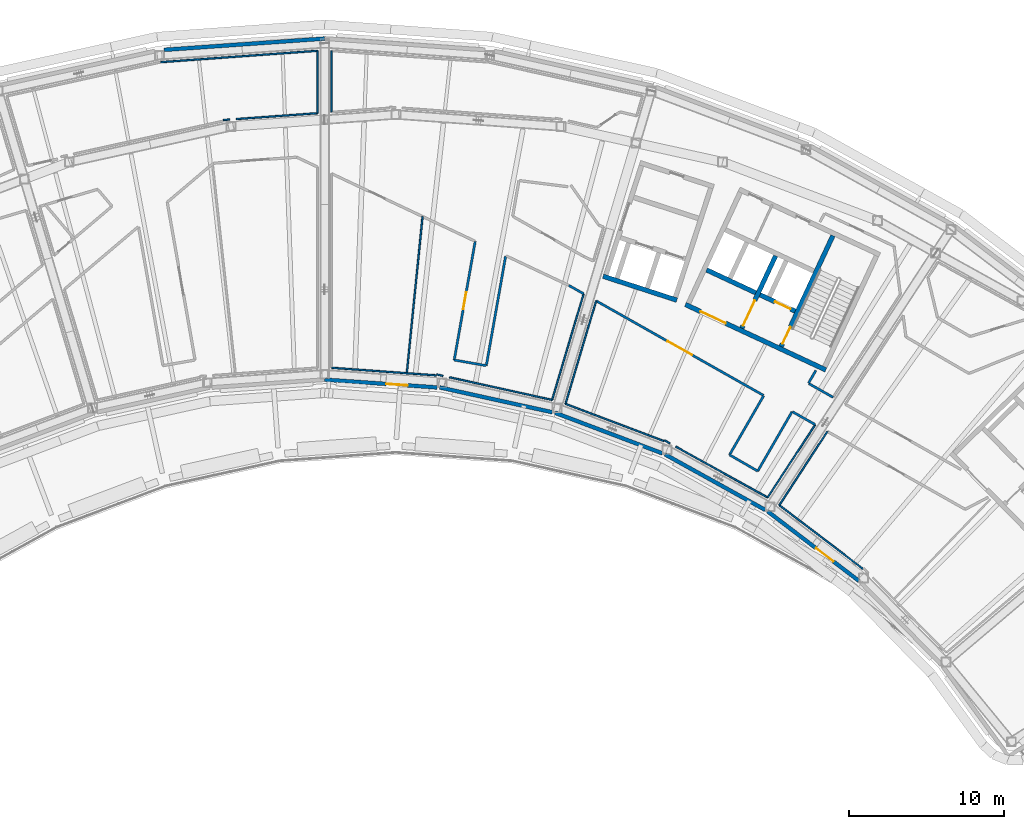
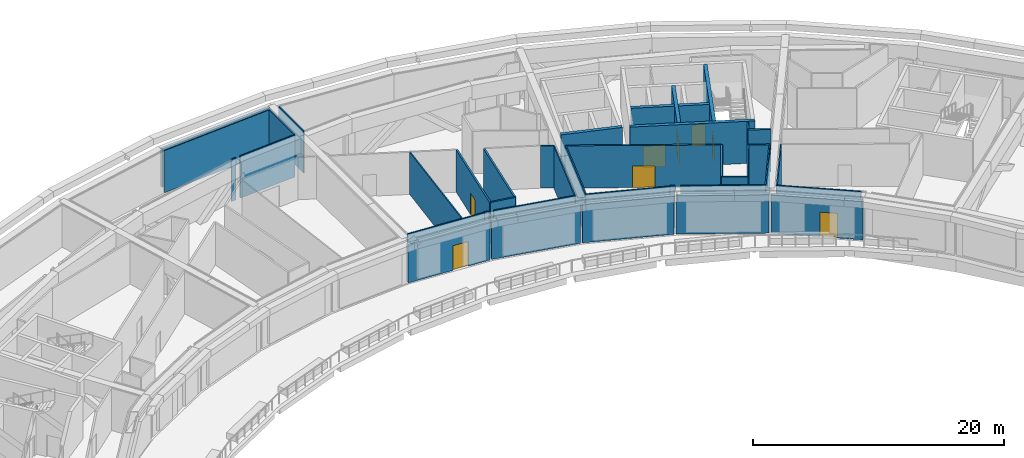
# One storey, part 9 of 24: 40 walls, 8 doors, 8 openings.
"""IFC4 building model written with IfcOpenShell, lengths in metres."""

from ifc_helpers import new_model, si_unit, direction, frame, frame_2d, origin, place, context, subcontext, project, spatial, rectangle, extrude, material, layer, layer_set, type_object, element, fill, save


model = new_model("IFC4")

# Units and contexts
model_context = context("Model", 3, precision=1e-05, world=origin(), true_north=direction((0.0, 1.0)))
body_context = subcontext(model_context, "Body", "Model", "MODEL_VIEW")
ifc_project = project(units=[si_unit("LENGTHUNIT", "METRE"), si_unit("AREAUNIT", "SQUARE_METRE"), si_unit("VOLUMEUNIT", "CUBIC_METRE"), si_unit("PLANEANGLEUNIT", "RADIAN"), si_unit("MASSUNIT", "GRAM", prefix="KILO")], contexts=[model_context])

# Site, building, storey
site_placement = place(None, origin())
site = spatial("IfcSite", under=ifc_project, at=site_placement, CompositionType="ELEMENT")
building_placement = place(site_placement, origin())
building = spatial("IfcBuilding", under=site, at=building_placement, Name="Tuul Gate Civic Tower", CompositionType="ELEMENT")
storey_placement = place(building_placement, frame((0.0, 0.0, 315.199951171875)))
storey = spatial("IfcBuildingStorey", under=building, at=storey_placement, Name="Plant and refuge floor 7", CompositionType="ELEMENT", Elevation=315.199951171875)

# Wall, opening, door
ifc_material_1 = material(Name="Concrete C50/60", Category="concrete")
ifc_layer_1 = layer(ifc_material_1, 0.300048828125)
ifc_layer_set_1 = layer_set([ifc_layer_1], Name="Concrete C50/60")
wall_type_1 = type_object("IfcWallType", Name="Core wall C50/60", PredefinedType="SHEAR", material=ifc_layer_set_1)
wall_1_placement = place(storey_placement, frame((34.5283203125, -7.25, 0.0), z_axis=(0.0, 0.0, 1.0), x_axis=(-0.906310338845, 0.422612789327, 0.0)))
wall_1 = element("IfcWall", 1, at=wall_1_placement, inside=storey, type_object=wall_type_1, Name="Core wall", PredefinedType="SHEAR", context=body_context, shape_type="SweptSolid", body=[
    extrude(rectangle(XDim=9.999755859375, YDim=0.300048828125, at=frame_2d((5.0, 0.0))), origin(), (0.0, 0.0, 1.0), 4.10009765625),
])
opening_1_placement = place(wall_1_placement, frame((7.125, 0.0, 0.0)))
opening_1 = element("IfcOpeningElement", 2, at=opening_1_placement, cuts=wall_1, Name="Opening LB-E3-LOBBY-1", PredefinedType="OPENING", context=body_context, shape_type="SweptSolid", body=[
    extrude(rectangle(XDim=1.800048828125, YDim=2.10009765625, at=frame_2d((0.89990234375, 1.050048828125))), frame((0.0, 0.16015625, 0.0), z_axis=(0.0, -1.0, 0.0), x_axis=(1.0, 0.0, 0.0)), (0.0, 0.0, 1.0), 0.320068359375),
])
ifc_material_2 = material(Name="Steel", Category="steel")
door_type_1 = type_object("IfcDoorType", Name="Lobby door", OperationType="DOUBLE_DOOR_SINGLE_SWING", PredefinedType="DOOR", material=ifc_material_2)
door_1_placement = place(opening_1_placement, frame((1.800048828125, 0.0, 0.0), z_axis=(0.0, 0.0, 1.0), x_axis=(-1.0, 0.0, 0.0)))
door_1 = element("IfcDoor", 3, at=door_1_placement, inside=storey, type_object=door_type_1, Name="Lobby door E3-LOBBY", OperationType="DOUBLE_DOOR_SINGLE_SWING", OverallHeight=2.10009765625, OverallWidth=1.800048828125, PredefinedType="DOOR", context=body_context, shape_type="SweptSolid", body=[
    extrude(rectangle(XDim=1.800048828125, YDim=2.10009765625, at=frame_2d((0.900146484375, 1.050048828125))), frame((0.0, 0.02490234375, 0.0), z_axis=(0.0, -1.0, 0.0), x_axis=(1.0, 0.0, 0.0)), (0.0, 0.0, 1.0), 0.050048828125),
])
fill(opening_1, door_1)

wall_2_placement = place(storey_placement, frame((32.545654296875, -3.456787109375, 0.0), z_axis=(0.0, 0.0, 1.0), x_axis=(-0.906300357825, 0.42263419337, 0.0)))
wall_2 = element("IfcWall", 4, at=wall_2_placement, inside=storey, type_object=wall_type_1, Name="Core wall", PredefinedType="SHEAR", context=body_context, shape_type="SweptSolid", body=[
    extrude(rectangle(XDim=2.500244140625, YDim=0.300048828125, at=frame_2d((1.25, 0.0))), origin(), (0.0, 0.0, 1.0), 4.10009765625),
])
opening_2_placement = place(wall_2_placement, frame((0.324951171875, 0.0, 0.0)))
opening_2 = element("IfcOpeningElement", 5, at=opening_2_placement, cuts=wall_2, Name="Opening LD-FF-2", PredefinedType="OPENING", context=body_context, shape_type="SweptSolid", body=[
    extrude(rectangle(XDim=1.10009765625, YDim=2.10009765625, at=frame_2d((0.550048828125, 1.050048828125))), frame((0.0, 0.16015625, 0.0), z_axis=(0.0, -1.0, 0.0), x_axis=(1.0, 0.0, 0.0)), (0.0, 0.0, 1.0), 0.320068359375),
])
ifc_material_3 = material(Name="Stainless steel", Category="steel")
door_type_2 = type_object("IfcDoorType", Name="Landing door", OperationType="DOUBLE_DOOR_SLIDING", PredefinedType="DOOR", material=ifc_material_3)
door_2_placement = place(opening_2_placement, origin())
door_2 = element("IfcDoor", 6, at=door_2_placement, inside=storey, type_object=door_type_2, Name="Fire-fighting lift FF-2 landing door", OperationType="DOUBLE_DOOR_SLIDING", OverallHeight=2.10009765625, OverallWidth=1.10009765625, PredefinedType="DOOR", context=body_context, shape_type="SweptSolid", body=[
    extrude(rectangle(XDim=1.10009765625, YDim=2.10009765625, at=frame_2d((0.550048828125, 1.050048828125))), frame((0.0, 0.02490234375, 0.0), z_axis=(0.0, -1.0, 0.0), x_axis=(1.0, 0.0, 0.0)), (0.0, 0.0, 1.0), 0.050048828125),
])
fill(opening_2, door_2)

# Wall
wall_3_placement = place(storey_placement, frame((30.0078125, -2.2734375, 0.0), z_axis=(0.0, 0.0, 1.0), x_axis=(-0.90630071767, 0.422633421716, 0.0)))
element("IfcWall", 7, at=wall_3_placement, inside=storey, type_object=wall_type_1, Name="Core wall", PredefinedType="SHEAR", context=body_context, shape_type="SweptSolid", body=[
    extrude(rectangle(XDim=3.5, YDim=0.300048828125, at=frame_2d((1.75, 0.0))), origin(), (0.0, 0.0, 1.0), 4.10009765625),
])

# Wall, opening, door
wall_4_placement = place(storey_placement, frame((31.646240234375, -5.740478515625, 0.0), z_axis=(0.0, 0.0, 1.0), x_axis=(0.422582604137, 0.906324413596, 0.0)))
wall_4 = element("IfcWall", 8, at=wall_4_placement, inside=storey, type_object=wall_type_1, Name="Core wall", PredefinedType="SHEAR", context=body_context, shape_type="SweptSolid", body=[
    extrude(rectangle(XDim=7.89990234375, YDim=0.300048828125, at=frame_2d((3.949951171875, 0.0))), origin(), (0.0, 0.0, 1.0), 4.10009765625),
])
opening_3_placement = place(wall_4_placement, frame((0.199951171875, 0.0, 0.0)))
opening_3 = element("IfcOpeningElement", 9, at=opening_3_placement, cuts=wall_4, Name="Opening SD-ST-4", PredefinedType="OPENING", context=body_context, shape_type="SweptSolid", body=[
    extrude(rectangle(XDim=1.199951171875, YDim=2.10009765625, at=frame_2d((0.60009765625, 1.050048828125))), frame((0.0, 0.16015625, 0.0), z_axis=(0.0, -1.0, 0.0), x_axis=(1.0, 0.0, 0.0)), (0.0, 0.0, 1.0), 0.320068359375),
])
ifc_material_4 = material(Name="Steel", Category="steel")
door_type_3 = type_object("IfcDoorType", Name="Stair door", OperationType="NOTDEFINED", PredefinedType="DOOR", material=ifc_material_4)
door_3_placement = place(opening_3_placement, origin())
door_3 = element("IfcDoor", 10, at=door_3_placement, inside=storey, type_object=door_type_3, Name="Stair door ST-4", OperationType="SINGLE_SWING_LEFT", OverallHeight=2.10009765625, OverallWidth=1.199951171875, PredefinedType="DOOR", context=body_context, shape_type="SweptSolid", body=[
    extrude(rectangle(XDim=1.199951171875, YDim=2.10009765625, at=frame_2d((0.60009765625, 1.050048828125))), frame((0.0, 0.02490234375, 0.0), z_axis=(0.0, -1.0, 0.0), x_axis=(1.0, 0.0, 0.0)), (0.0, 0.0, 1.0), 0.050048828125),
])
fill(opening_3, door_3)

wall_5_placement = place(storey_placement, frame((29.108642578125, -4.557373046875, 0.0), z_axis=(0.0, 0.0, 1.0), x_axis=(0.422566235356, 0.90633204552, 0.0)))
wall_5 = element("IfcWall", 11, at=wall_5_placement, inside=storey, type_object=wall_type_1, Name="Core wall", PredefinedType="SHEAR", context=body_context, shape_type="SweptSolid", body=[
    extrude(rectangle(XDim=5.150146484375, YDim=0.300048828125, at=frame_2d((2.5751953125, 0.0))), origin(), (0.0, 0.0, 1.0), 4.10009765625),
])
opening_4_placement = place(wall_5_placement, frame((0.175048828125, 0.0, 0.0)))
opening_4 = element("IfcOpeningElement", 12, at=opening_4_placement, cuts=wall_5, Name="Opening LB-E3-FLOBBY-1", PredefinedType="OPENING", context=body_context, shape_type="SweptSolid", body=[
    extrude(rectangle(XDim=1.800048828125, YDim=2.10009765625, at=frame_2d((0.89990234375, 1.050048828125))), frame((0.0, 0.16015625, 0.0), z_axis=(0.0, -1.0, 0.0), x_axis=(1.0, 0.0, 0.0)), (0.0, 0.0, 1.0), 0.320068359375),
])
door_4_placement = place(opening_4_placement, frame((1.800048828125, 0.0, 0.0), z_axis=(0.0, 0.0, 1.0), x_axis=(-1.0, 0.0, 0.0)))
door_4 = element("IfcDoor", 13, at=door_4_placement, inside=storey, type_object=door_type_1, Name="Lobby door E3-FLOBBY", OperationType="DOUBLE_DOOR_SINGLE_SWING", OverallHeight=2.10009765625, OverallWidth=1.800048828125, PredefinedType="DOOR", context=body_context, shape_type="SweptSolid", body=[
    extrude(rectangle(XDim=1.800048828125, YDim=2.10009765625, at=frame_2d((0.900146484375, 1.050048828125))), frame((0.0, 0.02490234375, 0.0), z_axis=(0.0, -1.0, 0.0), x_axis=(1.0, 0.0, 0.0)), (0.0, 0.0, 1.0), 0.050048828125),
])
fill(opening_4, door_4)

# Walls
ifc_material_5 = material(Name="Gypsum board partition")
ifc_layer_2 = layer(ifc_material_5, 0.14990234375)
ifc_layer_set_2 = layer_set([ifc_layer_2], Name="Gypsum board partition")
wall_type_2 = type_object("IfcWallType", Name="Corridor wall P150", PredefinedType="PARTITIONING", material=ifc_layer_set_2)
wall_6_placement = place(storey_placement, frame((30.13330078125, -13.77490234375, 0.0), z_axis=(0.0, 0.0, 1.0), x_axis=(0.500003149848, 0.866023585211, 0.0)))
element("IfcWall", 14, at=wall_6_placement, inside=storey, type_object=wall_type_2, Name="p004", PredefinedType="PARTITIONING", context=body_context, shape_type="SweptSolid", body=[
    extrude(rectangle(XDim=4.4169921875, YDim=0.14990234375, at=frame_2d((2.20849609375, 0.0))), origin(), (0.0, 0.0, 1.0), 4.10009765625),
])
wall_7_placement = place(storey_placement, frame((33.411865234375, -8.09619140625, 0.0), z_axis=(0.0, 0.0, 1.0), x_axis=(0.500014143148, 0.86601723808, 0.0)))
element("IfcWall", 15, at=wall_7_placement, inside=storey, type_object=wall_type_2, Name="p005", PredefinedType="PARTITIONING", context=body_context, shape_type="SweptSolid", body=[
    extrude(rectangle(XDim=0.94189453125, YDim=0.14990234375, at=frame_2d((0.470947265625, 0.0))), origin(), (0.0, 0.0, 1.0), 4.10009765625),
])
wall_8_placement = place(storey_placement, frame((33.41943359375, -8.12353515625, 0.0), z_axis=(0.0, 0.0, 1.0), x_axis=(0.870676003417, -0.491856988436, 0.0)))
element("IfcWall", 16, at=wall_8_placement, inside=storey, type_object=wall_type_2, Name="p011", PredefinedType="PARTITIONING", context=body_context, shape_type="SweptSolid", body=[
    extrude(rectangle(XDim=1.807861328125, YDim=0.14990234375, at=frame_2d((0.90380859375, 0.0))), origin(), (0.0, 0.0, 1.0), 4.10009765625),
])
wall_9_placement = place(storey_placement, frame((12.62109375, -6.970703125, 0.0), z_axis=(0.0, 0.0, 1.0), x_axis=(0.173645647652, 0.984808199119, 0.0)))
element("IfcWall", 17, at=wall_9_placement, inside=storey, type_object=wall_type_2, Name="p013", PredefinedType="PARTITIONING", context=body_context, shape_type="SweptSolid", body=[
    extrude(rectangle(XDim=7.178955078125, YDim=0.14990234375, at=frame_2d((3.58935546875, 0.0))), origin(), (0.0, 0.0, 1.0), 4.10009765625),
])
wall_10_placement = place(storey_placement, frame((17.9501953125, -1.79638671875, 0.0), z_axis=(0.0, 0.0, 1.0), x_axis=(0.870716490147, -0.491785312698, 0.0)))
element("IfcWall", 18, at=wall_10_placement, inside=storey, type_object=wall_type_2, Name="p030", PredefinedType="PARTITIONING", context=body_context, shape_type="SweptSolid", body=[
    extrude(rectangle(XDim=1.0947265625, YDim=0.14990234375, at=frame_2d((0.54736328125, 0.0))), origin(), (0.0, 0.0, 1.0), 4.10009765625),
])

# Wall, opening, door
wall_11_placement = place(storey_placement, frame((19.70703125, -2.788818359375, 0.0), z_axis=(0.0, 0.0, 1.0), x_axis=(0.870665105986, -0.491876278365, 0.0)))
wall_11 = element("IfcWall", 19, at=wall_11_placement, inside=storey, type_object=wall_type_2, Name="p031", PredefinedType="PARTITIONING", context=body_context, shape_type="SweptSolid", body=[
    extrude(rectangle(XDim=12.402587890625, YDim=0.14990234375, at=frame_2d((6.201171875, 0.0))), origin(), (0.0, 0.0, 1.0), 4.10009765625),
])
opening_5_placement = place(wall_11_placement, frame((5.301513671875, 0.0, 0.0)))
opening_5 = element("IfcOpeningElement", 20, at=opening_5_placement, cuts=wall_11, Name="Opening PC-D08", PredefinedType="OPENING", context=body_context, shape_type="SweptSolid", body=[
    extrude(rectangle(XDim=1.800048828125, YDim=2.10009765625, at=frame_2d((0.89990234375, 1.050048828125))), frame((0.0, 0.0849609375, 0.0), z_axis=(0.0, -1.0, 0.0), x_axis=(1.0, 0.0, 0.0)), (0.0, 0.0, 1.0), 0.169921875),
])
ifc_material_6 = material(Name="Timber door leaf, double", Category="wood")
door_type_4 = type_object("IfcDoorType", Name="Door D18", OperationType="DOUBLE_DOOR_SINGLE_SWING", PredefinedType="DOOR", material=ifc_material_6)
door_5_placement = place(opening_5_placement, frame((1.800048828125, 0.0, 0.0), z_axis=(0.0, 0.0, 1.0), x_axis=(-1.0, 0.0, 0.0)))
door_5 = element("IfcDoor", 21, at=door_5_placement, inside=storey, type_object=door_type_4, Name="Door PC-D08", OperationType="DOUBLE_DOOR_SINGLE_SWING", OverallHeight=2.10009765625, OverallWidth=1.800048828125, PredefinedType="DOOR", context=body_context, shape_type="SweptSolid", body=[
    extrude(rectangle(XDim=1.800048828125, YDim=2.10009765625, at=frame_2d((0.900146484375, 1.050048828125))), frame((0.0, 0.02490234375, 0.0), z_axis=(0.0, -1.0, 0.0), x_axis=(1.0, 0.0, 0.0)), (0.0, 0.0, 1.0), 0.050048828125),
])
fill(opening_5, door_5)

# Walls
wall_12_placement = place(storey_placement, frame((32.368896484375, -9.942138671875, 0.0), z_axis=(0.0, 0.0, 1.0), x_axis=(0.870672928686, -0.491862431227, 0.0)))
element("IfcWall", 22, at=wall_12_placement, inside=storey, type_object=wall_type_2, Name="p032", PredefinedType="PARTITIONING", context=body_context, shape_type="SweptSolid", body=[
    extrude(rectangle(XDim=1.693115234375, YDim=0.14990234375, at=frame_2d((0.8466796875, 0.0))), origin(), (0.0, 0.0, 1.0), 4.10009765625),
])
wall_13_placement = place(storey_placement, frame((28.314697265625, -12.724853515625, 0.0), z_axis=(0.0, 0.0, 1.0), x_axis=(0.500002825587, 0.866023772425, 0.0)))
element("IfcWall", 23, at=wall_13_placement, inside=storey, type_object=wall_type_2, Name="p036", PredefinedType="PARTITIONING", context=body_context, shape_type="SweptSolid", body=[
    extrude(rectangle(XDim=4.39697265625, YDim=0.14990234375, at=frame_2d((2.198486328125, 0.0))), origin(), (0.0, 0.0, 1.0), 4.10009765625),
])
wall_14_placement = place(storey_placement, frame((28.31494140625, -12.7255859375, 0.0), z_axis=(0.0, 0.0, 1.0), x_axis=(0.866073252199, -0.499917114955, 0.0)))
element("IfcWall", 24, at=wall_14_placement, inside=storey, type_object=wall_type_2, Name="p037", PredefinedType="PARTITIONING", context=body_context, shape_type="SweptSolid", body=[
    extrude(rectangle(XDim=2.098876953125, YDim=0.14990234375, at=frame_2d((1.04931640625, 0.0))), origin(), (0.0, 0.0, 1.0), 4.10009765625),
])

# Wall, opening, door
wall_15_placement = place(storey_placement, frame((10.552978515625, -6.60595703125, 0.0), z_axis=(0.0, 0.0, 1.0), x_axis=(0.173670485397, 0.984803819297, 0.0)))
wall_15 = element("IfcWall", 25, at=wall_15_placement, inside=storey, type_object=wall_type_2, Name="p041", PredefinedType="PARTITIONING", context=body_context, shape_type="SweptSolid", body=[
    extrude(rectangle(XDim=7.76123046875, YDim=0.14990234375, at=frame_2d((3.880615234375, 0.0))), origin(), (0.0, 0.0, 1.0), 4.10009765625),
])
opening_6_placement = place(wall_15_placement, frame((3.33056640625, 0.0, 0.0)))
opening_6 = element("IfcOpeningElement", 26, at=opening_6_placement, cuts=wall_15, Name="Opening PC-D10", PredefinedType="OPENING", context=body_context, shape_type="SweptSolid", body=[
    extrude(rectangle(XDim=1.10009765625, YDim=2.10009765625, at=frame_2d((0.550048828125, 1.050048828125))), frame((0.0, 0.0849609375, 0.0), z_axis=(0.0, -1.0, 0.0), x_axis=(1.0, 0.0, 0.0)), (0.0, 0.0, 1.0), 0.169921875),
])
ifc_material_7 = material(Name="Timber door leaf", Category="wood")
door_type_5 = type_object("IfcDoorType", Name="Door D11", OperationType="NOTDEFINED", PredefinedType="DOOR", material=ifc_material_7)
door_6_placement = place(opening_6_placement, origin())
door_6 = element("IfcDoor", 27, at=door_6_placement, inside=storey, type_object=door_type_5, Name="Door PC-D10", OperationType="SINGLE_SWING_RIGHT", OverallHeight=2.10009765625, OverallWidth=1.10009765625, PredefinedType="DOOR", context=body_context, shape_type="SweptSolid", body=[
    extrude(rectangle(XDim=1.10009765625, YDim=2.10009765625, at=frame_2d((0.550048828125, 1.050048828125))), frame((0.0, 0.02490234375, 0.0), z_axis=(0.0, -1.0, 0.0), x_axis=(1.0, 0.0, 0.0)), (0.0, 0.0, 1.0), 0.050048828125),
])
fill(opening_6, door_6)

# Walls
wall_16_placement = place(storey_placement, frame((10.553466796875, -6.6064453125, 0.0), z_axis=(0.0, 0.0, 1.0), x_axis=(0.98480696824, -0.173652628272, 0.0)))
element("IfcWall", 28, at=wall_16_placement, inside=storey, type_object=wall_type_2, Name="p042", PredefinedType="PARTITIONING", context=body_context, shape_type="SweptSolid", body=[
    extrude(rectangle(XDim=2.09912109375, YDim=0.14990234375, at=frame_2d((1.049560546875, 0.0))), origin(), (0.0, 0.0, 1.0), 4.10009765625),
])
ifc_material_8 = material(Name="Precast concrete C40/50", Category="concrete")
ifc_layer_3 = layer(ifc_material_8, 0.25)
ifc_layer_set_3 = layer_set([ifc_layer_3], Name="Precast concrete C40/50")
wall_type_3 = type_object("IfcWallType", Name="External wall", PredefinedType="STANDARD", material=ifc_layer_set_3)
wall_17_placement = place(storey_placement, frame((2.19189453125, 14.13134765625, 0.0), z_axis=(0.0, 0.0, 1.0), x_axis=(-0.997539608271, -0.070105134841, 0.0)))
element("IfcWall", 29, at=wall_17_placement, inside=storey, type_object=wall_type_3, Name="External wall", PredefinedType="STANDARD", context=body_context, shape_type="SweptSolid", body=[
    extrude(rectangle(XDim=10.3779296875, YDim=0.25, at=frame_2d((5.18896484375, 0.0))), origin(), (0.0, 0.0, 1.0), 3.75),
])

# Wall, opening, door
wall_18_placement = place(storey_placement, frame((2.19189453125, -7.875244140625, 0.0), z_axis=(0.0, 0.0, 1.0), x_axis=(0.997595038527, -0.069311897299, 0.0)))
wall_18 = element("IfcWall", 30, at=wall_18_placement, inside=storey, type_object=wall_type_3, Name="External wall", PredefinedType="STANDARD", context=body_context, shape_type="SweptSolid", body=[
    extrude(rectangle(XDim=7.28076171875, YDim=0.25, at=frame_2d((3.640380859375, 0.0))), origin(), (0.0, 0.0, 1.0), 3.75),
])
opening_7_placement = place(wall_18_placement, frame((3.970947265625, 0.0, 0.0)))
opening_7 = element("IfcOpeningElement", 31, at=opening_7_placement, cuts=wall_18, Name="Opening TD", PredefinedType="OPENING", context=body_context, shape_type="SweptSolid", body=[
    extrude(rectangle(XDim=1.39990234375, YDim=2.39990234375, at=frame_2d((0.699951171875, 1.199951171875))), frame((0.0, 0.135009765625, 0.0), z_axis=(0.0, -1.0, 0.0), x_axis=(1.0, 0.0, 0.0)), (0.0, 0.0, 1.0), 0.27001953125),
])
ifc_material_9 = material(Name="Glazed aluminium", Category="aluminium")
door_type_6 = type_object("IfcDoorType", Name="Terrace door", OperationType="DOUBLE_DOOR_SINGLE_SWING", PredefinedType="DOOR", material=ifc_material_9)
door_7_placement = place(opening_7_placement, frame((1.39990234375, 0.0, 0.0), z_axis=(0.0, 0.0, 1.0), x_axis=(-1.0, 0.0, 0.0)))
door_7 = element("IfcDoor", 32, at=door_7_placement, inside=storey, type_object=door_type_6, Name="Terrace door", OperationType="DOUBLE_DOOR_SINGLE_SWING", OverallHeight=2.39990234375, OverallWidth=1.39990234375, PredefinedType="DOOR", context=body_context, shape_type="SweptSolid", body=[
    extrude(rectangle(XDim=1.39990234375, YDim=2.39990234375, at=frame_2d((0.699951171875, 1.199951171875))), frame((0.0, 0.02490234375, 0.0), z_axis=(0.0, -1.0, 0.0), x_axis=(1.0, 0.0, 0.0)), (0.0, 0.0, 1.0), 0.050048828125),
])
fill(opening_7, door_7)

# Walls
wall_19_placement = place(storey_placement, frame((9.617431640625, -8.376953125, 0.0), z_axis=(0.0, 0.0, 1.0), x_axis=(0.976558805875, -0.215250780877, 0.0)))
element("IfcWall", 33, at=wall_19_placement, inside=storey, type_object=wall_type_3, Name="External wall", PredefinedType="STANDARD", context=body_context, shape_type="SweptSolid", body=[
    extrude(rectangle(XDim=7.434814453125, YDim=0.25, at=frame_2d((3.71728515625, 0.0))), origin(), (0.0, 0.0, 1.0), 3.75),
])
wall_20_placement = place(storey_placement, frame((17.05078125, -10.010009765625, 0.0), z_axis=(0.0, 0.0, 1.0), x_axis=(0.935358477695, -0.353701170771, 0.0)))
element("IfcWall", 34, at=wall_20_placement, inside=storey, type_object=wall_type_3, Name="External wall", PredefinedType="STANDARD", context=body_context, shape_type="SweptSolid", body=[
    extrude(rectangle(XDim=7.406982421875, YDim=0.25, at=frame_2d((3.70361328125, 0.0))), origin(), (0.0, 0.0, 1.0), 3.75),
])
wall_21_placement = place(storey_placement, frame((24.150146484375, -12.696044921875, 0.0), z_axis=(0.0, 0.0, 1.0), x_axis=(0.874619324008, -0.484810311432, 0.0)))
element("IfcWall", 35, at=wall_21_placement, inside=storey, type_object=wall_type_3, Name="External wall", PredefinedType="STANDARD", context=body_context, shape_type="SweptSolid", body=[
    extrude(rectangle(XDim=7.39599609375, YDim=0.25, at=frame_2d((3.697998046875, 0.0))), origin(), (0.0, 0.0, 1.0), 3.75),
])

# Wall, opening, door
wall_22_placement = place(storey_placement, frame((30.77587890625, -16.3759765625, 0.0), z_axis=(0.0, 0.0, 1.0), x_axis=(0.79556887643, -0.605863155222, 0.0)))
wall_22 = element("IfcWall", 36, at=wall_22_placement, inside=storey, type_object=wall_type_3, Name="External wall", PredefinedType="STANDARD", context=body_context, shape_type="SweptSolid", body=[
    extrude(rectangle(XDim=7.394775390625, YDim=0.25, at=frame_2d((3.697265625, 0.0))), origin(), (0.0, 0.0, 1.0), 3.75),
])
opening_8_placement = place(wall_22_placement, frame((3.927978515625, 0.0, 0.0)))
opening_8 = element("IfcOpeningElement", 37, at=opening_8_placement, cuts=wall_22, Name="Opening TD", PredefinedType="OPENING", context=body_context, shape_type="SweptSolid", body=[
    extrude(rectangle(XDim=1.39990234375, YDim=2.39990234375, at=frame_2d((0.699951171875, 1.199951171875))), frame((0.0, 0.135009765625, 0.0), z_axis=(0.0, -1.0, 0.0), x_axis=(1.0, 0.0, 0.0)), (0.0, 0.0, 1.0), 0.27001953125),
])
door_8_placement = place(opening_8_placement, frame((1.39990234375, 0.0, 0.0), z_axis=(0.0, 0.0, 1.0), x_axis=(-1.0, 0.0, 0.0)))
door_8 = element("IfcDoor", 38, at=door_8_placement, inside=storey, type_object=door_type_6, Name="Terrace door", OperationType="DOUBLE_DOOR_SINGLE_SWING", OverallHeight=2.39990234375, OverallWidth=1.39990234375, PredefinedType="DOOR", context=body_context, shape_type="SweptSolid", body=[
    extrude(rectangle(XDim=1.39990234375, YDim=2.39990234375, at=frame_2d((0.699951171875, 1.199951171875))), frame((0.0, 0.02490234375, 0.0), z_axis=(0.0, -1.0, 0.0), x_axis=(1.0, 0.0, 0.0)), (0.0, 0.0, 1.0), 0.050048828125),
])
fill(opening_8, door_8)

# Walls
ifc_material_10 = material(Name="Concrete C40/50", Category="concrete")
ifc_layer_4 = layer(ifc_material_10, 0.300048828125)
ifc_layer_set_4 = layer_set([ifc_layer_4], Name="Concrete C40/50")
wall_type_4 = type_object("IfcWallType", Name="Lift shaft wall C40/50", PredefinedType="STANDARD", material=ifc_layer_set_4)
wall_23_placement = place(storey_placement, frame((24.911376953125, -2.746337890625, 0.0), z_axis=(0.0, 0.0, 1.0), x_axis=(-0.951067792613, 0.308982287281, 0.0)))
element("IfcWall", 39, at=wall_23_placement, inside=storey, type_object=wall_type_4, Name="Shaft wall", PredefinedType="STANDARD", context=body_context, shape_type="SweptSolid", body=[
    extrude(rectangle(XDim=5.0, YDim=0.300048828125, at=frame_2d((2.5, 0.0))), origin(), (0.0, 0.0, 1.0), 4.10009765625),
])
ifc_material_11 = material(Name="Gypsum board partition")
ifc_layer_5 = layer(ifc_material_11, 0.10009765625)
ifc_layer_set_5 = layer_set([ifc_layer_5], Name="Gypsum board partition")
wall_type_5 = type_object("IfcWallType", Name="Partition P100", PredefinedType="PARTITIONING", material=ifc_layer_set_5)
wall_24_placement = place(storey_placement, frame((7.489501953125, -7.4609375, 0.0), z_axis=(0.0, 0.0, 1.0), x_axis=(0.100186236061, 0.994968702073, 0.0)))
element("IfcWall", 40, at=wall_24_placement, inside=storey, type_object=wall_type_5, Name="p040", PredefinedType="PARTITIONING", context=body_context, shape_type="SweptSolid", body=[
    extrude(rectangle(XDim=10.1640625, YDim=0.10009765625, at=frame_2d((5.08203125, 0.0))), origin(), (0.0, 0.0, 1.0), 4.10009765625),
])
wall_25_placement = place(storey_placement, frame((36.922119140625, -20.081298828125, 0.0), z_axis=(0.0, 0.0, 1.0), x_axis=(-0.795608473432, 0.605811156222, 0.0)))
element("IfcWall", 41, at=wall_25_placement, inside=storey, type_object=wall_type_5, Name="p081", PredefinedType="PARTITIONING", context=body_context, shape_type="SweptSolid", body=[
    extrude(rectangle(XDim=6.7841796875, YDim=0.10009765625, at=frame_2d((3.39208984375, 0.0))), origin(), (0.0, 0.0, 1.0), 4.10009765625),
])
wall_26_placement = place(storey_placement, frame((31.524658203125, -15.971435546875, 0.0), z_axis=(0.0, 0.0, 1.0), x_axis=(0.546734751976, 0.837305864653, 0.0)))
element("IfcWall", 42, at=wall_26_placement, inside=storey, type_object=wall_type_5, Name="p082", PredefinedType="PARTITIONING", context=body_context, shape_type="SweptSolid", body=[
    extrude(rectangle(XDim=5.676513671875, YDim=0.10009765625, at=frame_2d((2.83837890625, 0.0))), origin(), (0.0, 0.0, 1.0), 4.10009765625),
])
wall_27_placement = place(storey_placement, frame((33.843017578125, -10.77490234375, 0.0), z_axis=(0.0, 0.0, 1.0), x_axis=(-0.546743520833, -0.837300138795, 0.0)))
element("IfcWall", 43, at=wall_27_placement, inside=storey, type_object=wall_type_5, Name="p084", PredefinedType="PARTITIONING", context=body_context, shape_type="SweptSolid", body=[
    extrude(rectangle(XDim=5.61865234375, YDim=0.10009765625, at=frame_2d((2.809326171875, 0.0))), origin(), (0.0, 0.0, 1.0), 4.10009765625),
])
wall_28_placement = place(storey_placement, frame((30.77099609375, -15.4794921875, 0.0), z_axis=(0.0, 0.0, 1.0), x_axis=(-0.874655915919, 0.484744292125, 0.0)))
element("IfcWall", 44, at=wall_28_placement, inside=storey, type_object=wall_type_5, Name="p085", PredefinedType="PARTITIONING", context=body_context, shape_type="SweptSolid", body=[
    extrude(rectangle(XDim=6.78369140625, YDim=0.10009765625, at=frame_2d((3.391845703125, 0.0))), origin(), (0.0, 0.0, 1.0), 4.10009765625),
])
wall_29_placement = place(storey_placement, frame((24.46875, -11.986572265625, 0.0), z_axis=(0.0, 0.0, 1.0), x_axis=(-0.874680772619, 0.484699438838, 0.0)))
element("IfcWall", 45, at=wall_29_placement, inside=storey, type_object=wall_type_5, Name="p086", PredefinedType="PARTITIONING", context=body_context, shape_type="SweptSolid", body=[
    extrude(rectangle(XDim=0.41748046875, YDim=0.10009765625, at=frame_2d((0.208740234375, 0.0))), origin(), (0.0, 0.0, 1.0), 4.10009765625),
])
wall_30_placement = place(storey_placement, frame((24.07421875, -11.83740234375, 0.0), z_axis=(0.0, 0.0, 1.0), x_axis=(-0.935327135646, 0.353784043343, 0.0)))
element("IfcWall", 46, at=wall_30_placement, inside=storey, type_object=wall_type_5, Name="p087", PredefinedType="PARTITIONING", context=body_context, shape_type="SweptSolid", body=[
    extrude(rectangle(XDim=6.7841796875, YDim=0.10009765625, at=frame_2d((3.39208984375, 0.0))), origin(), (0.0, 0.0, 1.0), 4.10009765625),
])
wall_31_placement = place(storey_placement, frame((17.728759765625, -9.437255859375, 0.0), z_axis=(0.0, 0.0, 1.0), x_axis=(0.285196627476, 0.958469031151, 0.0)))
element("IfcWall", 47, at=wall_31_placement, inside=storey, type_object=wall_type_5, Name="p088", PredefinedType="PARTITIONING", context=body_context, shape_type="SweptSolid", body=[
    extrude(rectangle(XDim=6.9365234375, YDim=0.10009765625, at=frame_2d((3.46826171875, 0.0))), origin(), (0.0, 0.0, 1.0), 4.10009765625),
])
wall_32_placement = place(storey_placement, frame((2.64208984375, 9.382568359375, 0.0), z_axis=(0.0, 0.0, 1.0), x_axis=(0.0, 1.0, 0.0)))
element("IfcWall", 48, at=wall_32_placement, inside=storey, type_object=wall_type_5, Name="p094", PredefinedType="PARTITIONING", context=body_context, shape_type="SweptSolid", body=[
    extrude(rectangle(XDim=3.961669921875, YDim=0.10009765625, at=frame_2d((1.98095703125, 0.0))), origin(), (0.0, 0.0, 1.0), 4.10009765625),
])
wall_33_placement = place(storey_placement, frame((18.9033203125, -2.334716796875, 0.0), z_axis=(0.0, 0.0, 1.0), x_axis=(-0.285214717562, -0.958463648182, 0.0)))
element("IfcWall", 49, at=wall_33_placement, inside=storey, type_object=wall_type_5, Name="p098", PredefinedType="PARTITIONING", context=body_context, shape_type="SweptSolid", body=[
    extrude(rectangle(XDim=7.142333984375, YDim=0.10009765625, at=frame_2d((3.5712890625, 0.0))), origin(), (0.0, 0.0, 1.0), 4.10009765625),
])
wall_34_placement = place(storey_placement, frame((16.8662109375, -9.180419921875, 0.0), z_axis=(0.0, 0.0, 1.0), x_axis=(-0.976592633351, 0.215097253548, 0.0)))
element("IfcWall", 50, at=wall_34_placement, inside=storey, type_object=wall_type_5, Name="p099", PredefinedType="PARTITIONING", context=body_context, shape_type="SweptSolid", body=[
    extrude(rectangle(XDim=6.783935546875, YDim=0.10009765625, at=frame_2d((3.39208984375, 0.0))), origin(), (0.0, 0.0, 1.0), 4.10009765625),
])
wall_35_placement = place(storey_placement, frame((9.8291015625, -7.630615234375, 0.0), z_axis=(0.0, 0.0, 1.0), x_axis=(-0.976570782862, 0.215196435984, 0.0)))
element("IfcWall", 51, at=wall_35_placement, inside=storey, type_object=wall_type_5, Name="p100", PredefinedType="PARTITIONING", context=body_context, shape_type="SweptSolid", body=[
    extrude(rectangle(XDim=0.41748046875, YDim=0.10009765625, at=frame_2d((0.208740234375, 0.0))), origin(), (0.0, 0.0, 1.0), 4.10009765625),
])
wall_36_placement = place(storey_placement, frame((9.408203125, -7.60009765625, 0.0), z_axis=(0.0, 0.0, 1.0), x_axis=(-0.997380282341, 0.072336521884, 0.0)))
element("IfcWall", 52, at=wall_36_placement, inside=storey, type_object=wall_type_5, Name="p101", PredefinedType="PARTITIONING", context=body_context, shape_type="SweptSolid", body=[
    extrude(rectangle(XDim=6.783935546875, YDim=0.10009765625, at=frame_2d((3.39208984375, 0.0))), origin(), (0.0, 0.0, 1.0), 4.10009765625),
])
wall_37_placement = place(storey_placement, frame((-8.39208984375, 12.609619140625, 0.0), z_axis=(0.0, 0.0, 1.0), x_axis=(0.997382887846, 0.072300588054, 0.0)))
element("IfcWall", 53, at=wall_37_placement, inside=storey, type_object=wall_type_5, Name="p112", PredefinedType="PARTITIONING", context=body_context, shape_type="SweptSolid", body=[
    extrude(rectangle(XDim=10.16064453125, YDim=0.10009765625, at=frame_2d((5.080322265625, 0.0))), origin(), (0.0, 0.0, 1.0), 4.10009765625),
])
wall_38_placement = place(storey_placement, frame((1.741943359375, 13.34423828125, 0.0), z_axis=(0.0, 0.0, 1.0), x_axis=(0.0, -1.0, 0.0)))
element("IfcWall", 54, at=wall_38_placement, inside=storey, type_object=wall_type_5, Name="p113", PredefinedType="PARTITIONING", context=body_context, shape_type="SweptSolid", body=[
    extrude(rectangle(XDim=4.02685546875, YDim=0.10009765625, at=frame_2d((2.013427734375, 0.0))), origin(), (0.0, 0.0, 1.0), 4.10009765625),
])
wall_39_placement = place(storey_placement, frame((1.741943359375, 9.3173828125, 0.0), z_axis=(0.0, 0.0, 1.0), x_axis=(-0.997383001917, -0.072299014423, 0.0)))
element("IfcWall", 55, at=wall_39_placement, inside=storey, type_object=wall_type_5, Name="p114", PredefinedType="PARTITIONING", context=body_context, shape_type="SweptSolid", body=[
    extrude(rectangle(XDim=5.260986328125, YDim=0.10009765625, at=frame_2d((2.63037109375, 0.0))), origin(), (0.0, 0.0, 1.0), 4.10009765625),
])
wall_40_placement = place(storey_placement, frame((-3.926025390625, 8.906494140625, 0.0), z_axis=(0.0, 0.0, 1.0), x_axis=(-0.997365816959, -0.072535695779, 0.0)))
element("IfcWall", 56, at=wall_40_placement, inside=storey, type_object=wall_type_5, Name="p115", PredefinedType="PARTITIONING", context=body_context, shape_type="SweptSolid", body=[
    extrude(rectangle(XDim=0.41748046875, YDim=0.10009765625, at=frame_2d((0.208740234375, 0.0))), origin(), (0.0, 0.0, 1.0), 4.10009765625),
])

save(model, "model.ifc")
